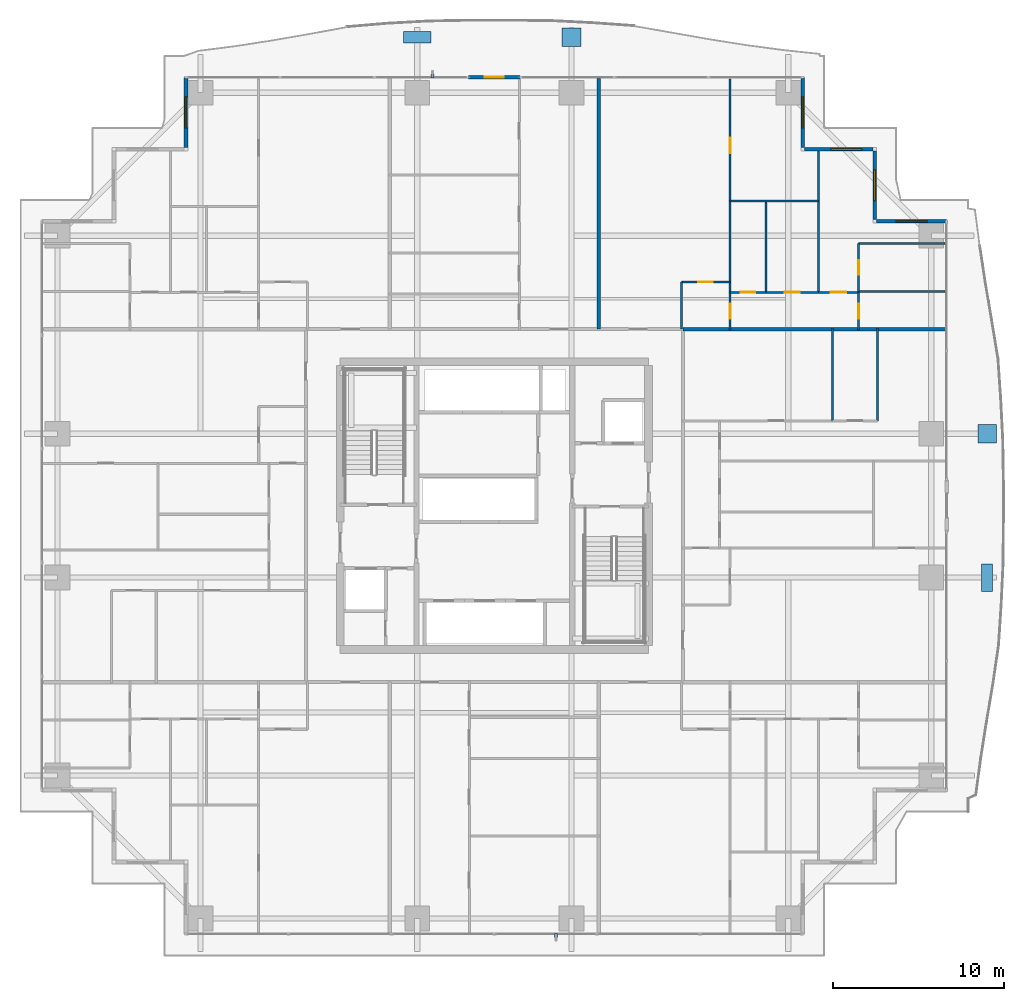
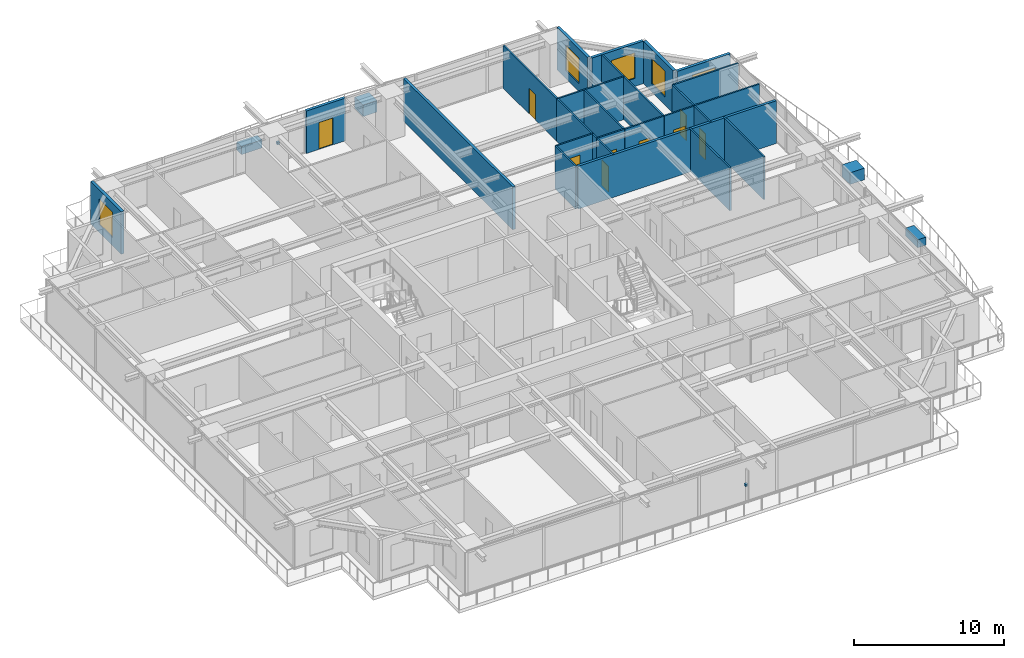
# One storey, part 31 of 38: 25 walls, 9 doors, 6 discrete accessories, 5 windows, 14 openings.
"""IFC4 building model written with IfcOpenShell, lengths in metres."""

import ifcopenshell
import ifcopenshell.guid

model = None  # the IFC model being written
_history = None  # IfcOwnerHistory: only IFC2X3 demands one
_inside = {}  # id of a spatial element -> (the spatial element, [elements in it])
_under = {}  # id of a project, library or spatial element -> (it, [spatial elements below it])
_declared = {}  # id of a project -> (the project, [libraries it declares])
_typed = {}  # id of a type object -> (the type object, [elements of that type])
_made_of = {}  # id of a material, layer set ... -> (it, [elements and type objects made of it])


def new_model(schema):
    """Start an empty IFC model of exactly this schema.

    Asked for "IFC4X3", IfcOpenShell would pick the latest addendum, in which some entities
    have other attributes; the version numbers below select the first issue.
    IFC2X3 requires an IfcOwnerHistory on every rooted entity: one is made here for all.
    """
    global model, _history
    if schema == "IFC4X3":
        model = ifcopenshell.file(schema_version=(4, 3, 0, 0))
    else:
        model = ifcopenshell.file(schema=schema)
    _inside.clear()
    _under.clear()
    _declared.clear()
    _typed.clear()
    _made_of.clear()
    _history = None
    if model.schema == "IFC2X3":
        org = make("IfcOrganization", Name="unknown")
        user = make(
            "IfcPersonAndOrganization",
            ThePerson=make("IfcPerson", FamilyName="unknown"),
            TheOrganization=org,
        )
        app = make(
            "IfcApplication",
            ApplicationDeveloper=org,
            Version="unknown",
            ApplicationFullName="unknown",
            ApplicationIdentifier="unknown",
        )
        _history = make(
            "IfcOwnerHistory",
            OwningUser=user,
            OwningApplication=app,
            ChangeAction="ADDED",
            CreationDate=0,
        )
    return model


def make(cls, **values):
    """One entity of the class cls with the attributes given. An attribute that is None is left unset."""
    return model.create_entity(
        cls, **{name: value for name, value in values.items() if value is not None}
    )


def rooted(cls, **values):
    """An entity with a GlobalId (a new one), such as an element, a storey or a relation."""
    return make(cls, GlobalId=ifcopenshell.guid.new(), OwnerHistory=_history, **values)


def si_unit(unit_type, name, prefix=None):
    """IfcSIUnit, for example si_unit("LENGTHUNIT", "METRE", prefix="MILLI")."""
    return make("IfcSIUnit", UnitType=unit_type, Prefix=prefix, Name=name)


def assignment(units):
    """IfcUnitAssignment: the units of a project."""
    return None if units is None else make("IfcUnitAssignment", Units=units)


def point(xyz):
    """IfcCartesianPoint."""
    return None if xyz is None else make("IfcCartesianPoint", Coordinates=xyz)


def direction(xyz):
    """IfcDirection."""
    return None if xyz is None else make("IfcDirection", DirectionRatios=xyz)


def frame(location, z_axis=None, x_axis=None):
    """IfcAxis2Placement3D, a coordinate frame: its origin and axes. An axis left out is left unset."""
    return make(
        "IfcAxis2Placement3D",
        Location=point(location),
        Axis=direction(z_axis),
        RefDirection=direction(x_axis),
    )


def frame_2d(location, x_axis=None):
    """IfcAxis2Placement2D, a coordinate frame in the plane: its origin and x axis."""
    return make(
        "IfcAxis2Placement2D", Location=point(location), RefDirection=direction(x_axis)
    )


def origin():
    """The frame at (0, 0, 0) with its axes left unset."""
    return frame((0.0, 0.0, 0.0))


def origin_2d():
    """The frame at (0, 0) in the plane with its x axis left unset."""
    return frame_2d((0.0, 0.0))


def place(relative_to, where):
    """IfcLocalPlacement: puts the frame where relative to a parent placement (None: the world)."""
    return make(
        "IfcLocalPlacement", PlacementRelTo=relative_to, RelativePlacement=where
    )


def context(
    kind, dimensions, precision=None, world=None, true_north=None, identifier=None
):
    """IfcGeometricRepresentationContext, for example the 3D "Model" context."""
    return make(
        "IfcGeometricRepresentationContext",
        ContextIdentifier=identifier,
        ContextType=kind,
        CoordinateSpaceDimension=dimensions,
        Precision=precision,
        WorldCoordinateSystem=world,
        TrueNorth=true_north,
    )


def subcontext(parent, identifier, kind, view, scale=None):
    """IfcGeometricRepresentationSubContext, for example "Body" below "Model"."""
    return make(
        "IfcGeometricRepresentationSubContext",
        ContextIdentifier=identifier,
        ContextType=kind,
        ParentContext=parent,
        TargetScale=scale,
        TargetView=view,
    )


def project(units=None, contexts=None):
    """IfcProject with its units and contexts."""
    return rooted(
        "IfcProject",
        Name="project",
        RepresentationContexts=contexts,
        UnitsInContext=assignment(units),
    )


def spatial(cls, under=None, at=None, **own):
    """A site, building, storey or space (cls), placed at a placement, below another one or the project."""
    s = rooted(cls, ObjectPlacement=at, **own)
    if under is not None:
        _under.setdefault(under.id(), (under, []))[1].append(s)
    return s


def profile(cls, at=None, kind="AREA", **sizes):
    """A parametric profile (cls). Its sizes go by their IFC names, for example OverallWidth=200.0."""
    return make(cls, ProfileType=kind, Position=at, **sizes)


def rectangle(**sizes):
    """IfcRectangleProfileDef."""
    return profile("IfcRectangleProfileDef", **sizes)


def extrude(swept, where, along, depth):
    """IfcExtrudedAreaSolid: the profile swept, set in the frame where, extruded along a direction by depth."""
    return make(
        "IfcExtrudedAreaSolid",
        SweptArea=swept,
        Position=where,
        ExtrudedDirection=direction(along),
        Depth=depth,
    )


def shape(context_of_items, identifier, shape_type, items):
    """IfcShapeRepresentation: the items that make up one representation, for example the "Body"."""
    return make(
        "IfcShapeRepresentation",
        ContextOfItems=context_of_items,
        RepresentationIdentifier=identifier,
        RepresentationType=shape_type,
        Items=items,
    )


def source(mapping_origin, context_of_items, identifier, shape_type, items):
    """IfcRepresentationMap: a shape defined once, which mapped items show again and again."""
    return make(
        "IfcRepresentationMap",
        MappingOrigin=mapping_origin,
        MappedRepresentation=shape(context_of_items, identifier, shape_type, items),
    )


def transform(
    local_origin,
    x_axis=None,
    y_axis=None,
    z_axis=None,
    scale=None,
    scale2=None,
    scale3=None,
    uniform=True,
):
    """IfcCartesianTransformationOperator3D, or its non-uniform kind. x_axis, y_axis, z_axis: its Axis1, 2, 3."""
    if uniform:
        return make(
            "IfcCartesianTransformationOperator3D",
            Axis1=direction(x_axis),
            Axis2=direction(y_axis),
            LocalOrigin=point(local_origin),
            Scale=scale,
            Axis3=direction(z_axis),
        )
    return make(
        "IfcCartesianTransformationOperator3DnonUniform",
        Axis1=direction(x_axis),
        Axis2=direction(y_axis),
        LocalOrigin=point(local_origin),
        Scale=scale,
        Axis3=direction(z_axis),
        Scale2=scale2,
        Scale3=scale3,
    )


def mapped(mapping_source, mapping_target):
    """IfcMappedItem: shows the shape of a source again, moved by a transform."""
    return make(
        "IfcMappedItem", MappingSource=mapping_source, MappingTarget=mapping_target
    )


def material(Name=None, Category=None):
    """IfcMaterial."""
    return make("IfcMaterial", Name=Name, Category=Category)


def layer(
    of_material, thickness, ventilated=None, Name=None, Category=None, Priority=None
):
    """IfcMaterialLayer: one layer of a wall or slab, of a material (None: an air gap)."""
    return make(
        "IfcMaterialLayer",
        Material=of_material,
        LayerThickness=thickness,
        IsVentilated=ventilated,
        Name=Name,
        Category=Category,
        Priority=Priority,
    )


def layer_set(layers, Name=None):
    """IfcMaterialLayerSet."""
    return make("IfcMaterialLayerSet", MaterialLayers=layers, LayerSetName=Name)


def made_of(thing, what):
    """Note that an element or type object is made of a material, layer set ...; save() writes the relation."""
    if what is not None:
        _made_of.setdefault(what.id(), (what, []))[1].append(thing)
    return thing


def type_object(cls, material=None, **own):
    """A type object (cls), such as IfcWallType, which elements share."""
    return made_of(rooted(cls, **own), material)


def element(
    cls,
    number,
    at=None,
    inside=None,
    cuts=None,
    type_object=None,
    material=None,
    context=None,
    identifier="Body",
    shape_type=None,
    held_by="IfcProductDefinitionShape",
    body=None,
    shapes=None,
    **own,
):
    """One element of the class cls, such as IfcWall. Its Tag is "e" and its number.

    at: its placement. inside: the storey or other place that contains it. cuts: it is an
    opening in that element (IfcRelVoidsElement). A single representation is given by context,
    identifier, shape_type and body (its items); several are given by shapes. held_by: the class
    of the entity that holds the representations. save() writes the other relations.
    """
    e = rooted(cls, Tag="e%d" % number, ObjectPlacement=at, **own)
    if body is not None:
        shapes = [shape(context, identifier, shape_type, body)]
    if shapes is not None:
        e.Representation = make(held_by, Representations=shapes)
    if inside is not None:
        _inside.setdefault(inside.id(), (inside, []))[1].append(e)
    if cuts is not None:
        rooted(
            "IfcRelVoidsElement", RelatingBuildingElement=cuts, RelatedOpeningElement=e
        )
    if type_object is not None:
        _typed.setdefault(type_object.id(), (type_object, []))[1].append(e)
    return made_of(e, material)


def fill(opening, filler):
    """IfcRelFillsElement: the door or window that sits in an opening."""
    return rooted(
        "IfcRelFillsElement",
        RelatingOpeningElement=opening,
        RelatedBuildingElement=filler,
    )


def aggregate(whole, parts):
    """IfcRelAggregates: a whole, such as a stair, and the parts it consists of."""
    return rooted("IfcRelAggregates", RelatingObject=whole, RelatedObjects=parts)


def save(model, path):
    """Write the relations noted so far, then the file.

    IfcRelAggregates (storeys below a building ...), IfcRelContainedInSpatialStructure (elements
    in a storey), IfcRelDefinesByType, IfcRelAssociatesMaterial and IfcRelDeclares: one each for
    every whole, place, type object, material and project.
    """
    for whole, parts in _under.values():
        aggregate(whole, parts)
    for where, things in _inside.values():
        rooted(
            "IfcRelContainedInSpatialStructure",
            RelatedElements=things,
            RelatingStructure=where,
        )
    for kind, things in _typed.values():
        rooted("IfcRelDefinesByType", RelatedObjects=things, RelatingType=kind)
    for what, things in _made_of.values():
        rooted("IfcRelAssociatesMaterial", RelatedObjects=things, RelatingMaterial=what)
    for by, libraries in _declared.values():
        rooted("IfcRelDeclares", RelatingContext=by, RelatedDefinitions=libraries)
    model.write(path)


model = new_model("IFC4")

# Units and contexts
model_context = context("Model", 3, precision=1e-05, world=origin(), true_north=direction((0.0, 1.0)))
body_context = subcontext(model_context, "Body", "Model", "MODEL_VIEW")
ifc_project = project(units=[si_unit("LENGTHUNIT", "METRE"), si_unit("AREAUNIT", "SQUARE_METRE"), si_unit("VOLUMEUNIT", "CUBIC_METRE"), si_unit("PLANEANGLEUNIT", "RADIAN"), si_unit("MASSUNIT", "GRAM", prefix="KILO")], contexts=[model_context])

# Site, building, storey
site_placement = place(None, origin())
site = spatial("IfcSite", under=ifc_project, at=site_placement, CompositionType="ELEMENT")
building_placement = place(site_placement, origin())
building = spatial("IfcBuilding", under=site, at=building_placement, Name="Serunith Strait Residences", CompositionType="ELEMENT")
storey_placement = place(building_placement, frame((0.0, 0.0, 30.449951171875)))
storey = spatial("IfcBuildingStorey", under=building, at=storey_placement, Name="L06", CompositionType="ELEMENT", Elevation=30.449951171875)

# Wall, opening, window
ifc_material_1 = material(Name="Pale-Champagne Aluminium Insulated Panel", Category="aluminium")
ifc_layer_1 = layer(ifc_material_1, 0.219970703125, Name="Pale-Champagne Aluminium Insulated Panel")
ifc_layer_set_1 = layer_set([ifc_layer_1], Name="Pale-Champagne Aluminium Insulated Panel")
wall_type_1 = type_object("IfcWallType", Name="EW-ALUM-220", PredefinedType="ELEMENTEDWALL", material=ifc_layer_set_1)
wall_1_placement = place(storey_placement, frame((58.800048828125, 41.800048828125, 0.0), z_axis=(0.0, 0.0, 1.0), x_axis=(-1.0, 0.0, 0.0)))
wall_1 = element("IfcWall", 1, at=wall_1_placement, inside=storey, type_object=wall_type_1, Name="L06 Girih Serrated Corner Wall 07", PredefinedType="ELEMENTEDWALL", context=body_context, shape_type="SweptSolid", body=[
    extrude(rectangle(XDim=4.090087890625, YDim=0.219970703125, at=frame_2d((2.044921875, 0.0))), origin(), (0.0, 0.0, 1.0), 3.47509765625),
])
opening_1_placement = place(wall_1_placement, frame((1.14501953125, 0.0, 0.64990234375)))
opening_1 = element("IfcOpeningElement", 2, at=opening_1_placement, cuts=wall_1, Name="Opening W-01", PredefinedType="OPENING", context=body_context, shape_type="SweptSolid", body=[
    extrude(rectangle(XDim=1.800048828125, YDim=2.10009765625, at=frame_2d((0.89990234375, 1.050048828125))), frame((0.0, 0.1201171875, 0.0), z_axis=(0.0, -1.0, 0.0), x_axis=(1.0, 0.0, 0.0)), (0.0, 0.0, 1.0), 0.239990234375),
])
ifc_material_2 = material(Name="Ceramic-Fritted Operable Aluminium Window Glass", Category="aluminium")
window_type = type_object("IfcWindowType", Name="WIN-C1", PartitioningType="DOUBLE_PANEL_VERTICAL", PredefinedType="WINDOW", material=ifc_material_2)
shared_shape_1 = source(origin(), body_context, "Body", "SweptSolid", [
    extrude(rectangle(XDim=1.800048828125, YDim=2.10009765625, at=frame_2d((0.89990234375, 1.050048828125))), frame((0.0, 0.030029296875, 0.0), z_axis=(0.0, -1.0, 0.0), x_axis=(1.0, 0.0, 0.0)), (0.0, 0.0, 1.0), 0.06005859375),
])
window_1_placement = place(opening_1_placement, origin())
window_1 = element("IfcWindow", 3, at=window_1_placement, inside=storey, type_object=window_type, Name="L06 Corner Operable Fritted Window 07", OverallHeight=2.10009765625, OverallWidth=1.800048828125, PartitioningType="SINGLE_PANEL", PredefinedType="WINDOW", context=body_context, shape_type="MappedRepresentation", body=[
    mapped(shared_shape_1, transform((0.0, 0.0, 0.0), scale=1.0)),
])
fill(opening_1, window_1)

wall_2_placement = place(storey_placement, frame((54.60009765625, 41.909912109375, 0.0), z_axis=(0.0, 0.0, 1.0), x_axis=(0.0, 1.0, 0.0)))
wall_2 = element("IfcWall", 4, at=wall_2_placement, inside=storey, type_object=wall_type_1, Name="L06 Girih Serrated Corner Wall 08", PredefinedType="ELEMENTEDWALL", context=body_context, shape_type="SweptSolid", body=[
    extrude(rectangle(XDim=3.97998046875, YDim=0.219970703125, at=frame_2d((1.989990234375, 0.0))), origin(), (0.0, 0.0, 1.0), 3.47509765625),
])
opening_2_placement = place(wall_2_placement, frame((1.090087890625, 0.0, 0.64990234375)))
opening_2 = element("IfcOpeningElement", 5, at=opening_2_placement, cuts=wall_2, Name="Opening W-01", PredefinedType="OPENING", context=body_context, shape_type="SweptSolid", body=[
    extrude(rectangle(XDim=1.800048828125, YDim=2.10009765625, at=frame_2d((0.89990234375, 1.050048828125))), frame((0.0, 0.1201171875, 0.0), z_axis=(0.0, -1.0, 0.0), x_axis=(1.0, 0.0, 0.0)), (0.0, 0.0, 1.0), 0.239990234375),
])
window_2_placement = place(opening_2_placement, origin())
window_2 = element("IfcWindow", 6, at=window_2_placement, inside=storey, type_object=window_type, Name="L06 Corner Operable Fritted Window 08", OverallHeight=2.10009765625, OverallWidth=1.800048828125, PartitioningType="SINGLE_PANEL", PredefinedType="WINDOW", context=body_context, shape_type="MappedRepresentation", body=[
    mapped(shared_shape_1, transform((0.0, 0.0, 0.0), scale=1.0)),
])
fill(opening_2, window_2)

wall_3_placement = place(storey_placement, frame((54.489990234375, 46.0, 0.0), z_axis=(0.0, 0.0, 1.0), x_axis=(-1.0, 0.0, 0.0)))
wall_3 = element("IfcWall", 7, at=wall_3_placement, inside=storey, type_object=wall_type_1, Name="L06 Girih Serrated Corner Wall 09", PredefinedType="ELEMENTEDWALL", context=body_context, shape_type="SweptSolid", body=[
    extrude(rectangle(XDim=3.97998046875, YDim=0.219970703125, at=frame_2d((1.989990234375, 0.0))), origin(), (0.0, 0.0, 1.0), 3.47509765625),
])
opening_3_placement = place(wall_3_placement, frame((0.654052734375, 0.0, 0.64990234375)))
opening_3 = element("IfcOpeningElement", 8, at=opening_3_placement, cuts=wall_3, Name="Opening W-01", PredefinedType="OPENING", context=body_context, shape_type="SweptSolid", body=[
    extrude(rectangle(XDim=1.800048828125, YDim=2.10009765625, at=frame_2d((0.89990234375, 1.050048828125))), frame((0.0, 0.1201171875, 0.0), z_axis=(0.0, -1.0, 0.0), x_axis=(1.0, 0.0, 0.0)), (0.0, 0.0, 1.0), 0.239990234375),
])
window_3_placement = place(opening_3_placement, origin())
window_3 = element("IfcWindow", 9, at=window_3_placement, inside=storey, type_object=window_type, Name="L06 Corner Operable Fritted Window 09", OverallHeight=2.10009765625, OverallWidth=1.800048828125, PartitioningType="SINGLE_PANEL", PredefinedType="WINDOW", context=body_context, shape_type="MappedRepresentation", body=[
    mapped(shared_shape_1, transform((0.0, 0.0, 0.0), scale=1.0)),
])
fill(opening_3, window_3)

wall_4_placement = place(storey_placement, frame((50.39990234375, 46.110107421875, 0.0), z_axis=(0.0, 0.0, 1.0), x_axis=(0.0, 1.0, 0.0)))
wall_4 = element("IfcWall", 10, at=wall_4_placement, inside=storey, type_object=wall_type_1, Name="L06 Girih Serrated Corner Wall 10", PredefinedType="ELEMENTEDWALL", context=body_context, shape_type="SweptSolid", body=[
    extrude(rectangle(XDim=4.08984375, YDim=0.219970703125, at=frame_2d((2.044921875, 0.0))), origin(), (0.0, 0.0, 1.0), 3.47509765625),
])
opening_4_placement = place(wall_4_placement, frame((1.14501953125, 0.0, 0.64990234375)))
opening_4 = element("IfcOpeningElement", 11, at=opening_4_placement, cuts=wall_4, Name="Opening W-01", PredefinedType="OPENING", context=body_context, shape_type="SweptSolid", body=[
    extrude(rectangle(XDim=1.800048828125, YDim=2.10009765625, at=frame_2d((0.89990234375, 1.050048828125))), frame((0.0, 0.1201171875, 0.0), z_axis=(0.0, -1.0, 0.0), x_axis=(1.0, 0.0, 0.0)), (0.0, 0.0, 1.0), 0.239990234375),
])
window_4_placement = place(opening_4_placement, origin())
window_4 = element("IfcWindow", 12, at=window_4_placement, inside=storey, type_object=window_type, Name="L06 Corner Operable Fritted Window 10", OverallHeight=2.10009765625, OverallWidth=1.800048828125, PartitioningType="SINGLE_PANEL", PredefinedType="WINDOW", context=body_context, shape_type="MappedRepresentation", body=[
    mapped(shared_shape_1, transform((0.0, 0.0, 0.0), scale=1.0)),
])
fill(opening_4, window_4)

# Wall, opening, door
wall_5_placement = place(storey_placement, frame((33.89990234375, 50.199951171875, 0.0), z_axis=(0.0, 0.0, 1.0), x_axis=(-1.0, 0.0, 0.0)))
wall_5 = element("IfcWall", 13, at=wall_5_placement, inside=storey, type_object=wall_type_1, Name="L06 N Facade Pier Wall", PredefinedType="ELEMENTEDWALL", context=body_context, shape_type="SweptSolid", body=[
    extrude(rectangle(XDim=3.0, YDim=0.219970703125, at=frame_2d((1.5, 0.0))), origin(), (0.0, 0.0, 1.0), 3.47509765625),
])
opening_5_placement = place(wall_5_placement, frame((0.949951171875, 0.0, 0.0)))
opening_5 = element("IfcOpeningElement", 14, at=opening_5_placement, cuts=wall_5, Name="Opening ED-03", PredefinedType="OPENING", context=body_context, shape_type="SweptSolid", body=[
    extrude(rectangle(XDim=1.10009765625, YDim=2.199951171875, at=frame_2d((0.550048828125, 1.10009765625))), frame((0.0, 0.1201171875, 0.0), z_axis=(0.0, -1.0, 0.0), x_axis=(1.0, 0.0, 0.0)), (0.0, 0.0, 1.0), 0.239990234375),
])
ifc_material_3 = material(Name="Thermally-Broken Aluminium Glazed Balcony Door", Category="aluminium")
door_type_1 = type_object("IfcDoorType", Name="ED-BALC-1100", OperationType="NOTDEFINED", PredefinedType="DOOR", material=ifc_material_3)
shared_shape_2 = source(origin(), body_context, "Body", "SweptSolid", [
    extrude(rectangle(XDim=1.10009765625, YDim=2.199951171875, at=frame_2d((0.550048828125, 1.10009765625))), frame((0.0, 0.02490234375, 0.0), z_axis=(0.0, -1.0, 0.0), x_axis=(1.0, 0.0, 0.0)), (0.0, 0.0, 1.0), 0.050048828125),
])
door_1_placement = place(opening_5_placement, origin())
door_1 = element("IfcDoor", 15, at=door_1_placement, inside=storey, type_object=door_type_1, Name="L06 N Vertical-Forest Balcony Door", OperationType="SINGLE_SWING_RIGHT", OverallHeight=2.199951171875, OverallWidth=1.10009765625, PredefinedType="DOOR", context=body_context, shape_type="MappedRepresentation", body=[
    mapped(shared_shape_2, transform((0.0, 0.0, 0.0), scale=1.0)),
])
fill(opening_5, door_1)

# Wall, opening, window
wall_6_placement = place(storey_placement, frame((14.39990234375, 50.199951171875, 0.0), z_axis=(0.0, 0.0, 1.0), x_axis=(0.0, -1.0, 0.0)))
wall_6 = element("IfcWall", 16, at=wall_6_placement, inside=storey, type_object=wall_type_1, Name="L06 Girih Serrated Corner Wall 12", PredefinedType="ELEMENTEDWALL", context=body_context, shape_type="SweptSolid", body=[
    extrude(rectangle(XDim=4.08984375, YDim=0.219970703125, at=frame_2d((2.044921875, 0.0))), origin(), (0.0, 0.0, 1.0), 3.47509765625),
])
opening_6_placement = place(wall_6_placement, frame((1.14501953125, 0.0, 0.64990234375)))
opening_6 = element("IfcOpeningElement", 17, at=opening_6_placement, cuts=wall_6, Name="Opening W-01", PredefinedType="OPENING", context=body_context, shape_type="SweptSolid", body=[
    extrude(rectangle(XDim=1.800048828125, YDim=2.10009765625, at=frame_2d((0.89990234375, 1.050048828125))), frame((0.0, 0.1201171875, 0.0), z_axis=(0.0, -1.0, 0.0), x_axis=(1.0, 0.0, 0.0)), (0.0, 0.0, 1.0), 0.239990234375),
])
window_5_placement = place(opening_6_placement, origin())
window_5 = element("IfcWindow", 18, at=window_5_placement, inside=storey, type_object=window_type, Name="L06 Corner Operable Fritted Window 12", OverallHeight=2.10009765625, OverallWidth=1.800048828125, PartitioningType="SINGLE_PANEL", PredefinedType="WINDOW", context=body_context, shape_type="MappedRepresentation", body=[
    mapped(shared_shape_1, transform((0.0, 0.0, 0.0), scale=1.0)),
])
fill(opening_6, window_5)

# Wall, opening, door
ifc_material_4 = material(Name="Lightweight steel-stud gypsum partition", Category="steel")
ifc_layer_2 = layer(ifc_material_4, 0.1201171875, Name="Lightweight steel-stud gypsum partition")
ifc_layer_set_2 = layer_set([ifc_layer_2], Name="Lightweight steel-stud gypsum partition")
wall_type_2 = type_object("IfcWallType", Name="IW-PART-120", PredefinedType="PARTITIONING", material=ifc_layer_set_2)
wall_7_placement = place(storey_placement, frame((43.31005859375, 38.25, 0.0), z_axis=(0.0, 0.0, 1.0), x_axis=(1.0, 0.0, 0.0)))
wall_7 = element("IfcWall", 19, at=wall_7_placement, inside=storey, type_object=wall_type_2, Name="L06 Partition Wall 085", PredefinedType="PARTITIONING", context=body_context, shape_type="SweptSolid", body=[
    extrude(rectangle(XDim=2.849853515625, YDim=0.1201171875, at=frame_2d((1.4248046875, 0.0))), origin(), (0.0, 0.0, 1.0), 3.489990234375),
])
opening_7_placement = place(wall_7_placement, frame((1.0, 0.0, 0.0)))
opening_7 = element("IfcOpeningElement", 20, at=opening_7_placement, cuts=wall_7, Name="Opening D-RM850", PredefinedType="OPENING", context=body_context, shape_type="SweptSolid", body=[
    extrude(rectangle(XDim=0.85009765625, YDim=2.10009765625, at=frame_2d((0.425048828125, 1.050048828125))), frame((0.0, 0.070068359375, 0.0), z_axis=(0.0, -1.0, 0.0), x_axis=(1.0, 0.0, 0.0)), (0.0, 0.0, 1.0), 0.14013671875),
])
ifc_material_5 = material(Name="Engineered timber flush study and kitchen door", Category="wood")
door_type_2 = type_object("IfcDoorType", Name="ID-ROOM-850", OperationType="NOTDEFINED", PredefinedType="DOOR", material=ifc_material_5)
shared_shape_3 = source(origin(), body_context, "Body", "SweptSolid", [
    extrude(rectangle(XDim=0.85009765625, YDim=2.10009765625, at=frame_2d((0.425048828125, 1.050048828125))), frame((0.0, 0.02490234375, 0.0), z_axis=(0.0, -1.0, 0.0), x_axis=(1.0, 0.0, 0.0)), (0.0, 0.0, 1.0), 0.050048828125),
])
door_2_placement = place(opening_7_placement, origin())
door_2 = element("IfcDoor", 21, at=door_2_placement, inside=storey, type_object=door_type_2, Name="L06 Kitchen 0606 Door", OperationType="SINGLE_SWING_LEFT", OverallHeight=2.10009765625, OverallWidth=0.85009765625, PredefinedType="DOOR", context=body_context, shape_type="MappedRepresentation", body=[
    mapped(shared_shape_3, transform((0.0, 0.0, 0.0), scale=1.0)),
])
fill(opening_7, door_2)

# Wall
wall_8_placement = place(storey_placement, frame((43.31005859375, 38.25, 0.0), z_axis=(0.0, 0.0, 1.0), x_axis=(0.0, -1.0, 0.0)))
element("IfcWall", 22, at=wall_8_placement, inside=storey, type_object=wall_type_2, Name="L06 Partition Wall 086", PredefinedType="PARTITIONING", context=body_context, shape_type="SweptSolid", body=[
    extrude(rectangle(XDim=2.748046875, YDim=0.1201171875, at=frame_2d((1.3740234375, 0.0))), origin(), (0.0, 0.0, 1.0), 3.489990234375),
])

# Wall, opening, door
wall_9_placement = place(storey_placement, frame((46.159912109375, 37.64990234375, 0.0), z_axis=(0.0, 0.0, 1.0), x_axis=(0.0, -1.0, 0.0)))
wall_9 = element("IfcWall", 23, at=wall_9_placement, inside=storey, type_object=wall_type_2, Name="L06 Partition Wall 087", PredefinedType="PARTITIONING", context=body_context, shape_type="SweptSolid", body=[
    extrude(rectangle(XDim=2.2099609375, YDim=0.1201171875, at=frame_2d((1.10498046875, 0.0))), origin(), (0.0, 0.0, 1.0), 3.489990234375),
])
opening_8_placement = place(wall_9_placement, frame((0.655029296875, 0.0, 0.0)))
opening_8 = element("IfcOpeningElement", 24, at=opening_8_placement, cuts=wall_9, Name="Opening D-RM900", PredefinedType="OPENING", context=body_context, shape_type="SweptSolid", body=[
    extrude(rectangle(XDim=0.89990234375, YDim=2.10009765625, at=frame_2d((0.449951171875, 1.050048828125))), frame((0.0, 0.070068359375, 0.0), z_axis=(0.0, -1.0, 0.0), x_axis=(1.0, 0.0, 0.0)), (0.0, 0.0, 1.0), 0.14013671875),
])
ifc_material_6 = material(Name="Engineered timber flush bedroom door", Category="wood")
door_type_3 = type_object("IfcDoorType", Name="ID-ROOM-900", OperationType="NOTDEFINED", PredefinedType="DOOR", material=ifc_material_6)
shared_shape_4 = source(origin(), body_context, "Body", "SweptSolid", [
    extrude(rectangle(XDim=0.89990234375, YDim=2.10009765625, at=frame_2d((0.449951171875, 1.050048828125))), frame((0.0, 0.02490234375, 0.0), z_axis=(0.0, -1.0, 0.0), x_axis=(1.0, 0.0, 0.0)), (0.0, 0.0, 1.0), 0.050048828125),
])
door_3_placement = place(opening_8_placement, origin())
door_3 = element("IfcDoor", 25, at=door_3_placement, inside=storey, type_object=door_type_3, Name="L06 Hall E 0606 Door", OperationType="SINGLE_SWING_RIGHT", OverallHeight=2.10009765625, OverallWidth=0.89990234375, PredefinedType="DOOR", context=body_context, shape_type="MappedRepresentation", body=[
    mapped(shared_shape_4, transform((0.0, 0.0, 0.0), scale=1.0)),
])
fill(opening_8, door_3)

wall_10_placement = place(storey_placement, frame((46.159912109375, 50.10498046875, 0.0), z_axis=(0.0, 0.0, 1.0), x_axis=(0.0, -1.0, 0.0)))
wall_10 = element("IfcWall", 26, at=wall_10_placement, inside=storey, type_object=wall_type_2, Name="L06 Partition Wall 088", PredefinedType="PARTITIONING", context=body_context, shape_type="SweptSolid", body=[
    extrude(rectangle(XDim=7.135986328125, YDim=0.1201171875, at=frame_2d((3.56787109375, 0.0))), origin(), (0.0, 0.0, 1.0), 3.489990234375),
])
opening_9_placement = place(wall_10_placement, frame((3.429931640625, 0.0, 0.0)))
opening_9 = element("IfcOpeningElement", 27, at=opening_9_placement, cuts=wall_10, Name="Opening D-RM900", PredefinedType="OPENING", context=body_context, shape_type="SweptSolid", body=[
    extrude(rectangle(XDim=0.89990234375, YDim=2.10009765625, at=frame_2d((0.449951171875, 1.050048828125))), frame((0.0, 0.070068359375, 0.0), z_axis=(0.0, -1.0, 0.0), x_axis=(1.0, 0.0, 0.0)), (0.0, 0.0, 1.0), 0.14013671875),
])
door_4_placement = place(opening_9_placement, origin())
door_4 = element("IfcDoor", 28, at=door_4_placement, inside=storey, type_object=door_type_3, Name="L06 Formal Dining Room 1 0606 Door", OperationType="SINGLE_SWING_LEFT", OverallHeight=2.10009765625, OverallWidth=0.89990234375, PredefinedType="DOOR", context=body_context, shape_type="MappedRepresentation", body=[
    mapped(shared_shape_4, transform((0.0, 0.0, 0.0), scale=1.0)),
])
fill(opening_9, door_4)

# Walls
wall_11_placement = place(storey_placement, frame((46.159912109375, 42.967041015625, 0.0), z_axis=(0.0, 0.0, 1.0), x_axis=(0.0, -1.0, 0.0)))
element("IfcWall", 29, at=wall_11_placement, inside=storey, type_object=wall_type_2, Name="L06 Partition Wall 089", PredefinedType="PARTITIONING", context=body_context, shape_type="SweptSolid", body=[
    extrude(rectangle(XDim=5.31494140625, YDim=0.1201171875, at=frame_2d((2.657470703125, 0.0))), origin(), (0.0, 0.0, 1.0), 3.489990234375),
])
wall_12_placement = place(storey_placement, frame((46.159912109375, 42.968994140625, 0.0), z_axis=(0.0, 0.0, 1.0), x_axis=(1.0, 0.0, 0.0)))
element("IfcWall", 30, at=wall_12_placement, inside=storey, type_object=wall_type_2, Name="L06 Partition Wall 090", PredefinedType="PARTITIONING", context=body_context, shape_type="SweptSolid", body=[
    extrude(rectangle(XDim=5.150146484375, YDim=0.1201171875, at=frame_2d((2.5751953125, 0.0))), origin(), (0.0, 0.0, 1.0), 3.489990234375),
])
wall_13_placement = place(storey_placement, frame((51.31005859375, 45.905029296875, 0.0), z_axis=(0.0, 0.0, 1.0), x_axis=(0.0, -1.0, 0.0)))
element("IfcWall", 31, at=wall_13_placement, inside=storey, type_object=wall_type_2, Name="L06 Partition Wall 091", PredefinedType="PARTITIONING", context=body_context, shape_type="SweptSolid", body=[
    extrude(rectangle(XDim=8.255126953125, YDim=0.1201171875, at=frame_2d((4.12744140625, 0.0))), origin(), (0.0, 0.0, 1.0), 3.489990234375),
])
wall_14_placement = place(storey_placement, frame((48.260009765625, 42.968994140625, 0.0), z_axis=(0.0, 0.0, 1.0), x_axis=(0.0, -1.0, 0.0)))
element("IfcWall", 32, at=wall_14_placement, inside=storey, type_object=wall_type_2, Name="L06 Partition Wall 092", PredefinedType="PARTITIONING", context=body_context, shape_type="SweptSolid", body=[
    extrude(rectangle(XDim=5.319091796875, YDim=0.1201171875, at=frame_2d((2.65966796875, 0.0))), origin(), (0.0, 0.0, 1.0), 3.489990234375),
])

# Wall, opening, door
wall_15_placement = place(storey_placement, frame((46.159912109375, 37.64990234375, 0.0), z_axis=(0.0, 0.0, 1.0), x_axis=(1.0, 0.0, 0.0)))
wall_15 = element("IfcWall", 33, at=wall_15_placement, inside=storey, type_object=wall_type_2, Name="L06 Partition Wall 093", PredefinedType="PARTITIONING", context=body_context, shape_type="SweptSolid", body=[
    extrude(rectangle(XDim=2.10009765625, YDim=0.1201171875, at=frame_2d((1.050048828125, 0.0))), origin(), (0.0, 0.0, 1.0), 3.489990234375),
])
opening_10_placement = place(wall_15_placement, frame((0.625, 0.0, 0.0)))
opening_10 = element("IfcOpeningElement", 34, at=opening_10_placement, cuts=wall_15, Name="Opening D-BTH850", PredefinedType="OPENING", context=body_context, shape_type="SweptSolid", body=[
    extrude(rectangle(XDim=0.85009765625, YDim=2.10009765625, at=frame_2d((0.425048828125, 1.050048828125))), frame((0.0, 0.070068359375, 0.0), z_axis=(0.0, -1.0, 0.0), x_axis=(1.0, 0.0, 0.0)), (0.0, 0.0, 1.0), 0.14013671875),
])
ifc_material_7 = material(Name="Moisture-resistant timber bathroom door", Category="wood")
door_type_4 = type_object("IfcDoorType", Name="ID-BATH-850", OperationType="NOTDEFINED", PredefinedType="DOOR", material=ifc_material_7)
door_5_placement = place(opening_10_placement, origin())
door_5 = element("IfcDoor", 35, at=door_5_placement, inside=storey, type_object=door_type_4, Name="L06 Bathroom 0606 Door", OperationType="SINGLE_SWING_RIGHT", OverallHeight=2.10009765625, OverallWidth=0.85009765625, PredefinedType="DOOR", context=body_context, shape_type="MappedRepresentation", body=[
    mapped(shared_shape_3, transform((0.0, 0.0, 0.0), scale=1.0)),
])
fill(opening_10, door_5)

wall_16_placement = place(storey_placement, frame((48.261962890625, 37.64990234375, 0.0), z_axis=(0.0, 0.0, 1.0), x_axis=(1.0, 0.0, 0.0)))
wall_16 = element("IfcWall", 36, at=wall_16_placement, inside=storey, type_object=wall_type_2, Name="L06 Partition Wall 094", PredefinedType="PARTITIONING", context=body_context, shape_type="SweptSolid", body=[
    extrude(rectangle(XDim=3.048095703125, YDim=0.1201171875, at=frame_2d((1.52392578125, 0.0))), origin(), (0.0, 0.0, 1.0), 3.489990234375),
])
opening_11_placement = place(wall_16_placement, frame((1.09912109375, 0.0, 0.0)))
opening_11 = element("IfcOpeningElement", 37, at=opening_11_placement, cuts=wall_16, Name="Opening D-RM850", PredefinedType="OPENING", context=body_context, shape_type="SweptSolid", body=[
    extrude(rectangle(XDim=0.85009765625, YDim=2.10009765625, at=frame_2d((0.425048828125, 1.050048828125))), frame((0.0, 0.070068359375, 0.0), z_axis=(0.0, -1.0, 0.0), x_axis=(1.0, 0.0, 0.0)), (0.0, 0.0, 1.0), 0.14013671875),
])
door_6_placement = place(opening_11_placement, origin())
door_6 = element("IfcDoor", 38, at=door_6_placement, inside=storey, type_object=door_type_2, Name="L06 Formal Dining Room 0606 Door", OperationType="SINGLE_SWING_LEFT", OverallHeight=2.10009765625, OverallWidth=0.85009765625, PredefinedType="DOOR", context=body_context, shape_type="MappedRepresentation", body=[
    mapped(shared_shape_3, transform((0.0, 0.0, 0.0), scale=1.0)),
])
fill(opening_11, door_6)

wall_17_placement = place(storey_placement, frame((51.31201171875, 37.64990234375, 0.0), z_axis=(0.0, 0.0, 1.0), x_axis=(1.0, 0.0, 0.0)))
wall_17 = element("IfcWall", 39, at=wall_17_placement, inside=storey, type_object=wall_type_2, Name="L06 Partition Wall 095", PredefinedType="PARTITIONING", context=body_context, shape_type="SweptSolid", body=[
    extrude(rectangle(XDim=2.347900390625, YDim=0.1201171875, at=frame_2d((1.173828125, 0.0))), origin(), (0.0, 0.0, 1.0), 3.489990234375),
])
opening_12_placement = place(wall_17_placement, frame((0.72412109375, 0.0, 0.0)))
opening_12 = element("IfcOpeningElement", 40, at=opening_12_placement, cuts=wall_17, Name="Opening D-RM900", PredefinedType="OPENING", context=body_context, shape_type="SweptSolid", body=[
    extrude(rectangle(XDim=0.89990234375, YDim=2.10009765625, at=frame_2d((0.449951171875, 1.050048828125))), frame((0.0, 0.070068359375, 0.0), z_axis=(0.0, -1.0, 0.0), x_axis=(1.0, 0.0, 0.0)), (0.0, 0.0, 1.0), 0.14013671875),
])
door_7_placement = place(opening_12_placement, origin())
door_7 = element("IfcDoor", 41, at=door_7_placement, inside=storey, type_object=door_type_3, Name="L06 Master Bedroom E 0606 Door", OperationType="SINGLE_SWING_RIGHT", OverallHeight=2.10009765625, OverallWidth=0.89990234375, PredefinedType="DOOR", context=body_context, shape_type="MappedRepresentation", body=[
    mapped(shared_shape_4, transform((0.0, 0.0, 0.0), scale=1.0)),
])
fill(opening_12, door_7)

# Walls
wall_18_placement = place(storey_placement, frame((53.659912109375, 40.506103515625, 0.0), z_axis=(0.0, 0.0, 1.0), x_axis=(1.0, 0.0, 0.0)))
element("IfcWall", 42, at=wall_18_placement, inside=storey, type_object=wall_type_2, Name="L06 Partition Wall 096", PredefinedType="PARTITIONING", context=body_context, shape_type="SweptSolid", body=[
    extrude(rectangle(XDim=5.045166015625, YDim=0.1201171875, at=frame_2d((2.5224609375, 0.0))), origin(), (0.0, 0.0, 1.0), 3.489990234375),
])
wall_19_placement = place(storey_placement, frame((53.662109375, 37.697998046875, 0.0), z_axis=(0.0, 0.0, 1.0), x_axis=(1.0, 0.0, 0.0)))
element("IfcWall", 43, at=wall_19_placement, inside=storey, type_object=wall_type_2, Name="L06 Partition Wall 097", PredefinedType="PARTITIONING", context=body_context, shape_type="SweptSolid", body=[
    extrude(rectangle(XDim=5.04296875, YDim=0.1201171875, at=frame_2d((2.521484375, 0.0))), origin(), (0.0, 0.0, 1.0), 3.489990234375),
])

# Wall, opening, door
wall_20_placement = place(storey_placement, frame((53.659912109375, 40.506103515625, 0.0), z_axis=(0.0, 0.0, 1.0), x_axis=(0.0, -1.0, 0.0)))
wall_20 = element("IfcWall", 44, at=wall_20_placement, inside=storey, type_object=wall_type_2, Name="L06 Partition Wall 098", PredefinedType="PARTITIONING", context=body_context, shape_type="SweptSolid", body=[
    extrude(rectangle(XDim=2.80810546875, YDim=0.1201171875, at=frame_2d((1.404052734375, 0.0))), origin(), (0.0, 0.0, 1.0), 3.489990234375),
])
opening_13_placement = place(wall_20_placement, frame((0.97900390625, 0.0, 0.0)))
opening_13 = element("IfcOpeningElement", 45, at=opening_13_placement, cuts=wall_20, Name="Opening D-BTH850", PredefinedType="OPENING", context=body_context, shape_type="SweptSolid", body=[
    extrude(rectangle(XDim=0.85009765625, YDim=2.10009765625, at=frame_2d((0.425048828125, 1.050048828125))), frame((0.0, 0.070068359375, 0.0), z_axis=(0.0, -1.0, 0.0), x_axis=(1.0, 0.0, 0.0)), (0.0, 0.0, 1.0), 0.14013671875),
])
door_8_placement = place(opening_13_placement, origin())
door_8 = element("IfcDoor", 46, at=door_8_placement, inside=storey, type_object=door_type_4, Name="L06 En-suite Bathroom E 0606 Door", OperationType="SINGLE_SWING_LEFT", OverallHeight=2.10009765625, OverallWidth=0.85009765625, PredefinedType="DOOR", context=body_context, shape_type="MappedRepresentation", body=[
    mapped(shared_shape_3, transform((0.0, 0.0, 0.0), scale=1.0)),
])
fill(opening_13, door_8)

wall_21_placement = place(storey_placement, frame((53.659912109375, 37.64990234375, 0.0), z_axis=(0.0, 0.0, 1.0), x_axis=(0.0, -1.0, 0.0)))
wall_21 = element("IfcWall", 47, at=wall_21_placement, inside=storey, type_object=wall_type_2, Name="L06 Partition Wall 099", PredefinedType="PARTITIONING", context=body_context, shape_type="SweptSolid", body=[
    extrude(rectangle(XDim=2.2099609375, YDim=0.1201171875, at=frame_2d((1.10498046875, 0.0))), origin(), (0.0, 0.0, 1.0), 3.489990234375),
])
opening_14_placement = place(wall_21_placement, frame((0.679931640625, 0.0, 0.0)))
opening_14 = element("IfcOpeningElement", 48, at=opening_14_placement, cuts=wall_21, Name="Opening D-RM850", PredefinedType="OPENING", context=body_context, shape_type="SweptSolid", body=[
    extrude(rectangle(XDim=0.85009765625, YDim=2.10009765625, at=frame_2d((0.425048828125, 1.050048828125))), frame((0.0, 0.070068359375, 0.0), z_axis=(0.0, -1.0, 0.0), x_axis=(1.0, 0.0, 0.0)), (0.0, 0.0, 1.0), 0.14013671875),
])
door_9_placement = place(opening_14_placement, origin())
door_9 = element("IfcDoor", 49, at=door_9_placement, inside=storey, type_object=door_type_2, Name="L06 Wardrobe E 0606 Door", OperationType="SINGLE_SWING_RIGHT", OverallHeight=2.10009765625, OverallWidth=0.85009765625, PredefinedType="DOOR", context=body_context, shape_type="MappedRepresentation", body=[
    mapped(shared_shape_3, transform((0.0, 0.0, 0.0), scale=1.0)),
])
fill(opening_14, door_9)

# Walls
for number, where, z_axis, x_axis, name in (
    (50, (54.75, 30.14990234375, 0.0), (0.0, 0.0, 1.0), (0.0, 1.0, 0.0), "L06 Partition Wall 127"),
    (51, (52.133056640625, 30.14990234375, 0.0), (0.0, 0.0, 1.0), (0.0, 1.0, 0.0), "L06 Partition Wall 128"),
):
    element("IfcWall", number, at=place(storey_placement, frame(where, z_axis=z_axis, x_axis=x_axis)), inside=storey, type_object=wall_type_2, Name=name, PredefinedType="PARTITIONING", context=body_context, shape_type="SweptSolid", body=[
        extrude(rectangle(XDim=5.41015625, YDim=0.1201171875, at=frame_2d((2.705078125, 0.0))), origin(), (0.0, 0.0, 1.0), 3.489990234375),
    ])
ifc_material_8 = material(Name="Twin-stud acoustic gypsum board partition")
ifc_layer_3 = layer(ifc_material_8, 0.199951171875, Name="Twin-stud acoustic gypsum board partition")
ifc_layer_set_3 = layer_set([ifc_layer_3], Name="Twin-stud acoustic gypsum board partition")
wall_type_3 = type_object("IfcWallType", Name="IW-PARTY-200", PredefinedType="PARTITIONING", material=ifc_layer_set_3)
wall_22_placement = place(storey_placement, frame((38.5, 35.5, 0.0), z_axis=(0.0, 0.0, 1.0), x_axis=(0.0, 1.0, 0.0)))
element("IfcWall", 52, at=wall_22_placement, inside=storey, type_object=wall_type_3, Name="L06 Partition Wall 017", PredefinedType="PARTITIONING", context=body_context, shape_type="SweptSolid", body=[
    extrude(rectangle(XDim=14.617919921875, YDim=0.199951171875, at=frame_2d((7.30908203125, 0.0))), origin(), (0.0, 0.0, 1.0), 3.489990234375),
])
wall_23_placement = place(storey_placement, frame((43.39990234375, 35.5, 0.0), z_axis=(0.0, 0.0, 1.0), x_axis=(1.0, 0.0, 0.0)))
element("IfcWall", 53, at=wall_23_placement, inside=storey, type_object=wall_type_3, Name="L06 Partition Wall 021", PredefinedType="PARTITIONING", context=body_context, shape_type="SweptSolid", body=[
    extrude(rectangle(XDim=15.318115234375, YDim=0.199951171875, at=frame_2d((7.6591796875, 0.0))), origin(), (0.0, 0.0, 1.0), 3.489990234375),
])

# Discrete accessories
ifc_material_9 = material(Name="GFRC Root-Anchored Structural Planter")
discrete_accessory_type_1 = type_object("IfcDiscreteAccessoryType", Name="ACC-PLANTER-TREE", PredefinedType="USERDEFINED", material=ifc_material_9)
shared_shape_5 = source(origin(), body_context, "Body", "SweptSolid", [
    extrude(rectangle(XDim=1.10009765625, YDim=1.10009765625, at=origin_2d()), origin(), (0.0, 0.0, 1.0), 0.949951171875),
])
for number, where, z_axis, x_axis, name in (
    (54, (36.89990234375, 52.537353515625, -0.0498046875), (0.0, 0.0, 1.0), (-1.0, 0.0, 0.0), "L06 Vertical-Forest Tree Planter 07"),
    (55, (61.164794921875, 29.39990234375, -0.0498046875), (0.0, 0.0, 1.0), (0.0, 1.0, 0.0), "L06 Vertical-Forest Tree Planter 11"),
):
    element("IfcDiscreteAccessory", number, at=place(storey_placement, frame(where, z_axis=z_axis, x_axis=x_axis)), inside=storey, type_object=discrete_accessory_type_1, Name=name, ObjectType="PLANTER", PredefinedType="USERDEFINED", context=body_context, shape_type="MappedRepresentation", body=[
        mapped(shared_shape_5, transform((0.0, 0.0, 0.0), scale=1.0)),
    ])
ifc_material_10 = material(Name="GFRC Irrigated Shrub Trough Planter")
discrete_accessory_type_2 = type_object("IfcDiscreteAccessoryType", Name="ACC-PLANTER-SHRUB", PredefinedType="USERDEFINED", material=ifc_material_10)
shared_shape_6 = source(origin(), body_context, "Body", "SweptSolid", [
    extrude(rectangle(XDim=1.60009765625, YDim=0.64990234375, at=origin_2d()), origin(), (0.0, 0.0, 1.0), 0.64990234375),
])
for number, where, z_axis, x_axis, name in (
    (56, (27.89990234375, 52.538818359375, -0.0498046875), (0.0, 0.0, 1.0), (-1.0, 0.0, 0.0), "L06 Vertical-Forest Shrub Planter 06"),
    (57, (61.162109375, 21.0, -0.0498046875), (0.0, 0.0, 1.0), (0.0, 1.0, 0.0), "L06 Vertical-Forest Shrub Planter 10"),
):
    element("IfcDiscreteAccessory", number, at=place(storey_placement, frame(where, z_axis=z_axis, x_axis=x_axis)), inside=storey, type_object=discrete_accessory_type_2, Name=name, ObjectType="PLANTER", PredefinedType="USERDEFINED", context=body_context, shape_type="MappedRepresentation", body=[
        mapped(shared_shape_6, transform((0.0, 0.0, 0.0), scale=1.0)),
    ])
ifc_material_11 = material(Name="Stainless Steel Facade Cleat Bracket", Category="steel")
discrete_accessory_type_3 = type_object("IfcDiscreteAccessoryType", Name="ACC-FIN-BRACKET", PredefinedType="USERDEFINED", material=ifc_material_11)
shared_shape_7 = source(origin(), body_context, "Body", "SweptSolid", [
    extrude(rectangle(XDim=0.179931640625, YDim=0.219970703125, at=origin_2d()), origin(), (0.0, 0.0, 1.0), 0.179931640625),
])
for number, where, z_axis, x_axis, name in (
    (58, (36.0, 0.1201171875, 1.41015625), (0.0, 0.0, 1.0), (1.0, 0.0, 0.0), "L06 Solar Fin Cleat Bracket S"),
    (59, (28.800048828125, 50.280029296875, 1.41015625), (0.0, 0.0, 1.0), (1.0, 0.0, 0.0), "L06 Solar Fin Cleat Bracket N"),
):
    element("IfcDiscreteAccessory", number, at=place(storey_placement, frame(where, z_axis=z_axis, x_axis=x_axis)), inside=storey, type_object=discrete_accessory_type_3, Name=name, ObjectType="BRACKET", PredefinedType="USERDEFINED", context=body_context, shape_type="MappedRepresentation", body=[
        mapped(shared_shape_7, transform((0.0, 0.0, 0.0), scale=1.0)),
    ])

save(model, "model.ifc")
